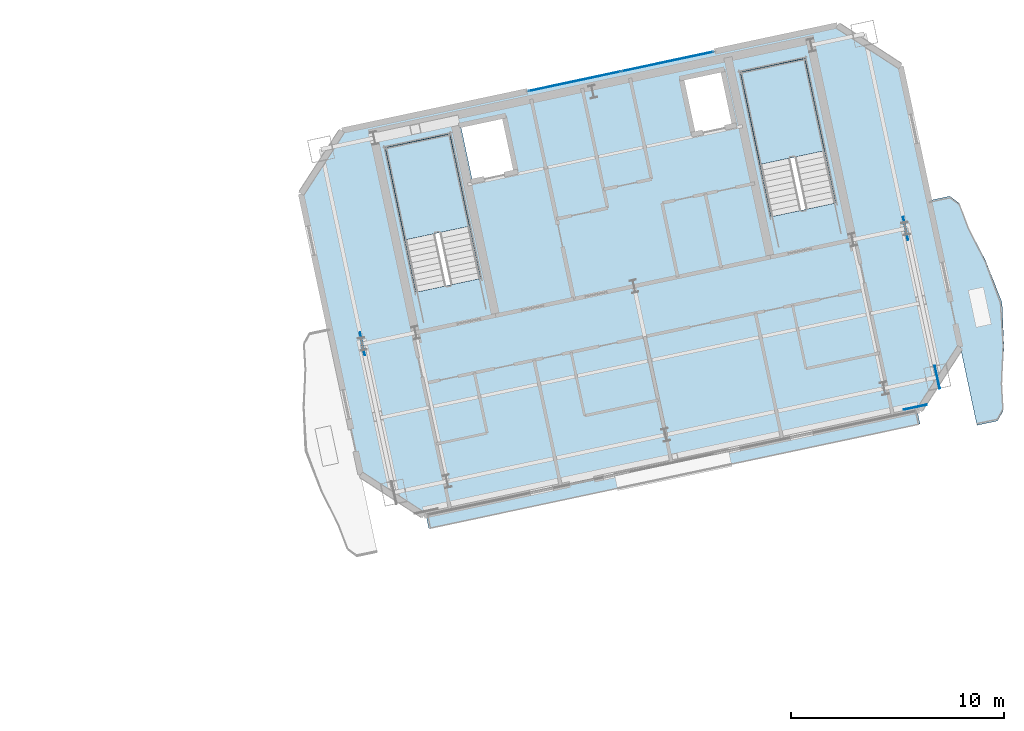
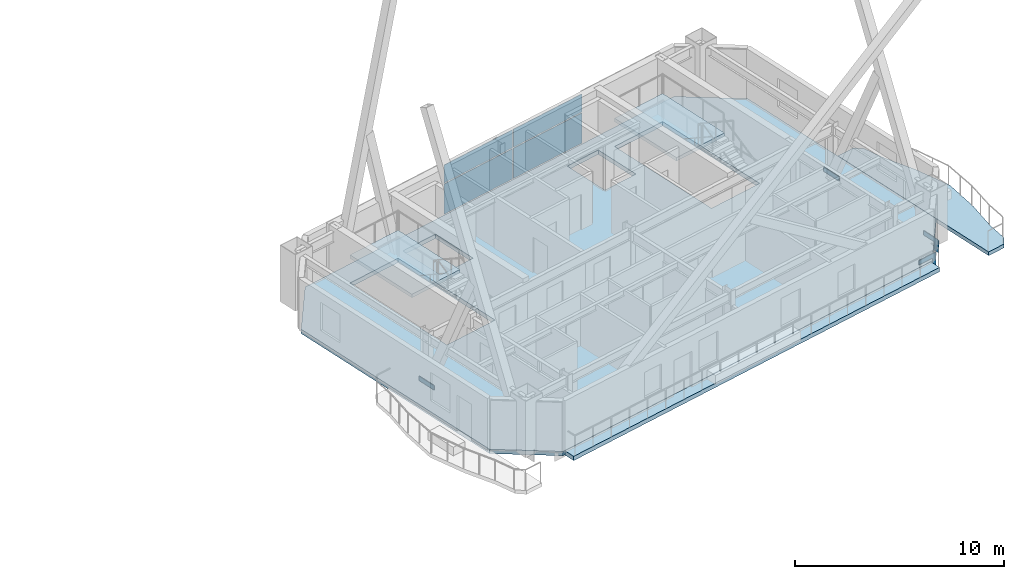
# One storey, part 9 of 19: 8 plates, 5 slabs, 3 elements without a shape of their own.
"""IFC4 building model written with IfcOpenShell, lengths in metres."""

from ifc_helpers import new_model, si_unit, direction, frame, origin, origin_2d, place, context, subcontext, project, spatial, polyline, rectangle, outline, extrude, material, layer, layer_set, type_object, element, aggregate, save


model = new_model("IFC4")

# Units and contexts
model_context = context("Model", 3, precision=1e-05, world=origin(), true_north=direction((0.0, 1.0)))
body_context = subcontext(model_context, "Body", "Model", "MODEL_VIEW")
ifc_project = project(units=[si_unit("LENGTHUNIT", "METRE"), si_unit("AREAUNIT", "SQUARE_METRE"), si_unit("VOLUMEUNIT", "CUBIC_METRE"), si_unit("PLANEANGLEUNIT", "RADIAN"), si_unit("MASSUNIT", "GRAM", prefix="KILO")], contexts=[model_context])

# Site, building, storey
site_placement = place(None, origin())
site = spatial("IfcSite", under=ifc_project, at=site_placement, CompositionType="ELEMENT")
building_placement = place(site_placement, origin())
building = spatial("IfcBuilding", under=site, at=building_placement, Name="Haevon Station Towers", CompositionType="ELEMENT")
storey_placement = place(building_placement, frame((0.0, 0.0, 218.699951171875)))
storey = spatial("IfcBuildingStorey", under=building, at=storey_placement, Name="L60", CompositionType="ELEMENT", Elevation=218.699951171875)

# Curtain wall, plates
ifc_material_1 = material(Name="Anodised aluminium and Low-E double glazing", Category="aluminium")
ifc_layer_1 = layer(ifc_material_1, 0.179931640625)
ifc_layer_set_1 = layer_set([ifc_layer_1], Name="Anodised aluminium and Low-E double glazing")
curtain_wall_type = type_object("IfcCurtainWallType", Name="CW-SYS5", PredefinedType="NOTDEFINED", material=ifc_layer_set_1)
curtain_wall_placement = place(storey_placement, origin())
curtain_wall = element("IfcCurtainWall", 1, at=curtain_wall_placement, inside=storey, type_object=curtain_wall_type, Name="L60 Curtain Wall CW-T2-L60-N", PredefinedType="NOTDEFINED")
ifc_material_2 = material(Name="Low-E double glazing", Category="glass")
ifc_layer_2 = layer(ifc_material_2, 0.028076171875)
ifc_layer_set_2 = layer_set([ifc_layer_2], Name="Low-E double glazing")
plate_type_1 = type_object("IfcPlateType", Name="CWP-GLZ28", PredefinedType="CURTAIN_PANEL", material=ifc_layer_set_2)
plate_1_placement = place(storey_placement, frame((106.224853515625, 49.254150390625, 0.06005859375), z_axis=(0.0, 0.0, 1.0), x_axis=(0.978147581095, 0.207911783211, 0.0)))
plate_1 = element("IfcPlate", 2, at=plate_1_placement, type_object=plate_type_1, Name="CW-SYS5 panel 1.1", PredefinedType="CURTAIN_PANEL", context=body_context, shape_type="SweptSolid", body=[
    extrude(rectangle(XDim=4.409912109375, YDim=0.028076171875, at=origin_2d()), origin(), (0.0, 0.0, 1.0), 1.77001953125),
])
plate_2_placement = place(storey_placement, frame((106.224853515625, 49.254150390625, 1.89013671875), z_axis=(0.0, 0.0, 1.0), x_axis=(0.978147581095, 0.207911783211, 0.0)))
plate_2 = element("IfcPlate", 3, at=plate_2_placement, type_object=plate_type_1, Name="CW-SYS5 panel 1.2", PredefinedType="CURTAIN_PANEL", context=body_context, shape_type="SweptSolid", body=[
    extrude(rectangle(XDim=4.409912109375, YDim=0.028076171875, at=origin_2d()), origin(), (0.0, 0.0, 1.0), 1.050048828125),
])
plate_3_placement = place(storey_placement, frame((110.59716796875, 50.18359375, 0.06005859375), z_axis=(0.0, 0.0, 1.0), x_axis=(0.978147581095, 0.207911783211, 0.0)))
plate_3 = element("IfcPlate", 4, at=plate_3_placement, type_object=plate_type_1, Name="CW-SYS5 panel 2.1", PredefinedType="CURTAIN_PANEL", context=body_context, shape_type="SweptSolid", body=[
    extrude(rectangle(XDim=4.409912109375, YDim=0.028076171875, at=origin_2d()), origin(), (0.0, 0.0, 1.0), 1.77001953125),
])
plate_4_placement = place(storey_placement, frame((110.59716796875, 50.18359375, 1.89013671875), z_axis=(0.0, 0.0, 1.0), x_axis=(0.978147581095, 0.207911783211, 0.0)))
plate_4 = element("IfcPlate", 5, at=plate_4_placement, type_object=plate_type_1, Name="CW-SYS5 panel 2.2", PredefinedType="CURTAIN_PANEL", context=body_context, shape_type="SweptSolid", body=[
    extrude(rectangle(XDim=4.409912109375, YDim=0.028076171875, at=origin_2d()), origin(), (0.0, 0.0, 1.0), 1.050048828125),
])
aggregate(curtain_wall, [plate_1, plate_2, plate_3, plate_4])

# Plates
ifc_material_3 = material(Name="PL-SPL1", Category="steel")
ifc_layer_3 = layer(ifc_material_3, 0.031982421875)
ifc_layer_set_3 = layer_set([ifc_layer_3], Name="PL-SPL1")
plate_type_2 = type_object("IfcPlateType", Name="PL-SPL1", PredefinedType="USERDEFINED", material=ifc_layer_set_3)
for number, where, z_axis, x_axis, name in (
    (6, (122.243896484375, 33.93994140625, -0.494873046875), (0.0, 0.0, 1.0), (0.978147600734, 0.207911690818, 0.0), "PL-T2SPL-T09-S-2"),
    (7, (96.258056640625, 36.912353515625, -0.494873046875), (0.0, 0.0, 1.0), (-0.207911690818, 0.978147600734, 0.0), "PL-T2SPL-T09-W-2"),
    (8, (123.272216796875, 35.354736328125, -0.494873046875), (0.0, 0.0, 1.0), (-0.207911690818, 0.978147600734, 0.0), "PL-T2SPL-T09-E-1"),
    (9, (121.787841796875, 42.338623046875, -0.494873046875), (0.0, 0.0, 1.0), (-0.207911690818, 0.978147600734, 0.0), "PL-T2SPL-T09-E-2"),
):
    element("IfcPlate", number, at=place(storey_placement, frame(where, z_axis=z_axis, x_axis=x_axis)), inside=storey, type_object=plate_type_2, Name=name, ObjectType="SPLICE_PLATE", PredefinedType="USERDEFINED", context=body_context, shape_type="SweptSolid", body=[
        extrude(rectangle(XDim=1.10009765625, YDim=0.031982421875, at=origin_2d()), origin(), (0.0, 0.0, 1.0), 0.75),
    ])

# Slab
ifc_material_4 = material(Name="Concrete C40/50", Category="concrete")
ifc_layer_4 = layer(ifc_material_4, 0.219970703125)
ifc_layer_set_4 = layer_set([ifc_layer_4], Name="Concrete C40/50")
slab_type_1 = type_object("IfcSlabType", Name="SL-BALC220", PredefinedType="FLOOR", material=ifc_layer_set_4)
slab_1_placement = place(storey_placement, frame((0.0, 0.0, -0.219970703125)))
element("IfcSlab", 10, at=slab_1_placement, inside=storey, type_object=slab_type_1, Name="Tower 2 L60 East SCALLOPED BALCONY", PredefinedType="FLOOR", context=body_context, shape_type="SweptSolid", body=[
    extrude(outline(polyline([(125.13916015625, 33.08837890625), (126.106201171875, 33.2939453125), (126.372314453125, 33.770751953125), (126.3095703125, 34.9541015625), (126.40966796875, 36.766357421875), (126.31884765625, 38.85986328125), (125.55029296875, 40.80908203125), (124.7216796875, 42.424072265625), (124.2978515625, 43.530517578125), (123.86083984375, 43.85791015625), (122.893798828125, 43.65234375), (125.13916015625, 33.08837890625)])), origin(), (0.0, 0.0, 1.0), 0.219970703125),
])

# Stair, slab
stair_type = type_object("IfcStairType", Name="STR-DL1450", PredefinedType="USERDEFINED", material=ifc_material_4)
stair_1_placement = place(storey_placement, origin())
stair_1 = element("IfcStair", 11, at=stair_1_placement, inside=storey, type_object=stair_type, Name="L60 Escape Stair ST3", ObjectType="TWO_RETURN_STAIR", PredefinedType="USERDEFINED")
ifc_layer_5 = layer(ifc_material_4, 0.199951171875)
ifc_layer_set_5 = layer_set([ifc_layer_5], Name="Concrete C40/50")
slab_type_2 = type_object("IfcSlabType", Name="SL-LND200", PredefinedType="LANDING", material=ifc_layer_set_5)
slab_2_placement = place(storey_placement, frame((0.0, 0.0, 1.449951171875)))
slab_2 = element("IfcSlab", 12, at=slab_2_placement, type_object=slab_type_2, Name="L60 ST3 Half Landing 1", PredefinedType="LANDING", context=body_context, shape_type="SweptSolid", body=[
    extrude(outline(polyline([(101.2880859375, 42.44287109375), (100.36572265625, 46.781982421875), (97.33349609375, 46.137451171875), (98.255859375, 41.79833984375), (101.2880859375, 42.44287109375)])), origin(), (0.0, 0.0, 1.0), 0.2001953125),
])
aggregate(stair_1, [slab_2])

stair_2_placement = place(storey_placement, origin())
stair_2 = element("IfcStair", 13, at=stair_2_placement, inside=storey, type_object=stair_type, Name="L60 Escape Stair ST4", ObjectType="TWO_RETURN_STAIR", PredefinedType="USERDEFINED")
slab_3_placement = place(storey_placement, frame((0.0, 0.0, 1.449951171875)))
slab_3 = element("IfcSlab", 14, at=slab_3_placement, type_object=slab_type_2, Name="L60 ST4 Half Landing 1", PredefinedType="LANDING", context=body_context, shape_type="SweptSolid", body=[
    extrude(outline(polyline([(117.975341796875, 45.989990234375), (117.052978515625, 50.328857421875), (114.020751953125, 49.684326171875), (114.943115234375, 45.345458984375), (117.975341796875, 45.989990234375)])), origin(), (0.0, 0.0, 1.0), 0.2001953125),
])
aggregate(stair_2, [slab_3])

# Slabs
ifc_layer_6 = layer(ifc_material_4, 0.25)
ifc_layer_set_6 = layer_set([ifc_layer_6], Name="Concrete C40/50")
slab_type_3 = type_object("IfcSlabType", Name="SL-TERR250", PredefinedType="FLOOR", material=ifc_layer_set_6)
slab_4_placement = place(storey_placement, frame((0.0, 0.0, -0.25)))
element("IfcSlab", 15, at=slab_4_placement, inside=storey, type_object=slab_type_3, Name="Tower 2 L60 Sky Garden Terrace", PredefinedType="FLOOR", context=body_context, shape_type="SweptSolid", body=[
    extrude(outline(polyline([(99.37890625, 28.24169921875), (122.46337890625, 33.1484375), (122.331298828125, 33.76953125), (99.2470703125, 28.86279296875), (99.37890625, 28.24169921875)])), origin(), (0.0, 0.0, 1.0), 0.25),
])
ifc_layer_7 = layer(ifc_material_4, 0.25)
ifc_layer_set_7 = layer_set([ifc_layer_7], Name="Concrete C40/50")
slab_type_4 = type_object("IfcSlabType", Name="SL-TW250", PredefinedType="FLOOR", material=ifc_layer_set_7)
slab_5_placement = place(storey_placement, frame((0.0, 0.0, -0.25)))
element("IfcSlab", 16, at=slab_5_placement, inside=storey, type_object=slab_type_4, Name="SL-T2-L60", PredefinedType="FLOOR", context=body_context, shape_type="SweptSolid", body=[
    extrude(outline(polyline([(99.148193359375, 28.846923828125), (122.427978515625, 33.795166015625), (124.353515625, 36.76025390625), (121.548828125, 49.95556640625), (118.583740234375, 51.881103515625), (95.3037109375, 46.932861328125), (93.378173828125, 43.9677734375), (96.182861328125, 30.7724609375), (99.148193359375, 28.846923828125)]), holes=[polyline([(101.8095703125, 39.98974609375), (100.36572265625, 46.781982421875), (97.33349609375, 46.137451171875), (98.77734375, 39.34521484375), (101.8095703125, 39.98974609375)]), polyline([(118.496826171875, 43.53662109375), (117.052978515625, 50.328857421875), (114.020751953125, 49.684326171875), (115.464599609375, 42.89208984375), (118.496826171875, 43.53662109375)]), polyline([(101.43212890625, 44.554931640625), (103.486328125, 44.99169921875), (102.9248046875, 47.632568359375), (100.870849609375, 47.196044921875), (101.43212890625, 44.554931640625)]), polyline([(111.800537109375, 46.7587890625), (113.7568359375, 47.174560546875), (113.1953125, 49.815673828125), (111.239013671875, 49.39990234375), (111.800537109375, 46.7587890625)])]), origin(), (0.0, 0.0, 1.0), 0.25),
])

save(model, "model.ifc")
